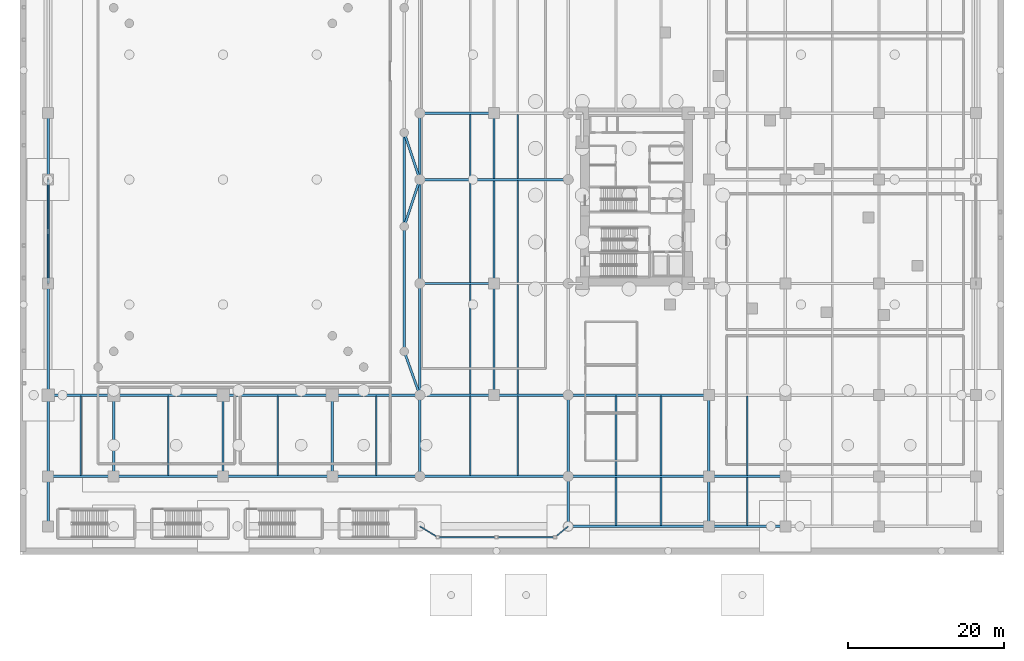
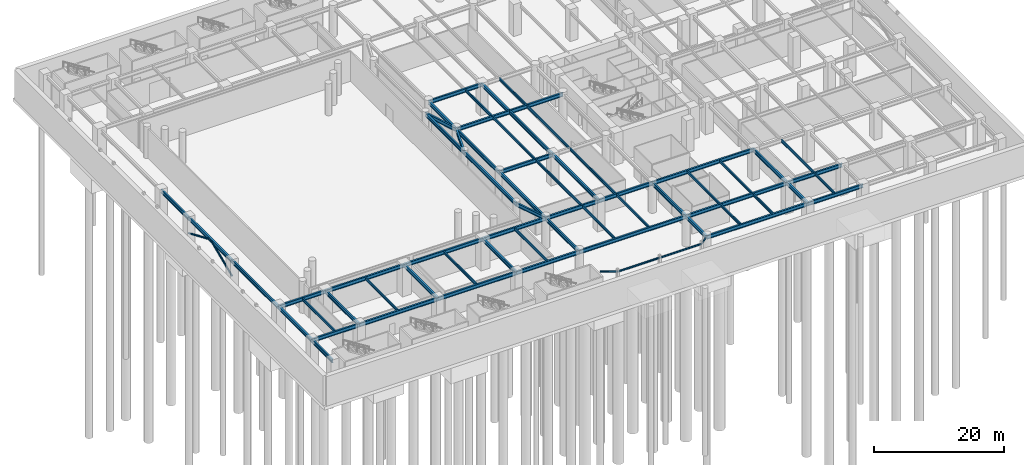
# One storey, part 12 of 37: 64 beams, 2 members.
"""IFC4 building model written with IfcOpenShell, lengths in metres."""

from ifc_helpers import new_model, si_unit, direction, frame, origin, origin_2d, place, context, subcontext, project, spatial, hollow_circle, i_section, extrude, material, material_profile, profile_set, type_object, element, save


model = new_model("IFC4")

# Units and contexts
model_context = context("Model", 3, precision=1e-05, world=origin(), true_north=direction((0.0, 1.0)))
body_context = subcontext(model_context, "Body", "Model", "MODEL_VIEW")
ifc_project = project(units=[si_unit("LENGTHUNIT", "METRE"), si_unit("AREAUNIT", "SQUARE_METRE"), si_unit("VOLUMEUNIT", "CUBIC_METRE"), si_unit("PLANEANGLEUNIT", "RADIAN"), si_unit("MASSUNIT", "GRAM", prefix="KILO")], contexts=[model_context])

# Site, building, storey
site_placement = place(None, origin())
site = spatial("IfcSite", under=ifc_project, at=site_placement, CompositionType="ELEMENT")
building_placement = place(site_placement, origin())
building = spatial("IfcBuilding", under=site, at=building_placement, Name="Narakoshi Arena Tower", CompositionType="ELEMENT")
storey_placement = place(building_placement, frame((0.0, 0.0, -6.0)))
storey = spatial("IfcBuildingStorey", under=building, at=storey_placement, Name="B01", CompositionType="ELEMENT", Elevation=-6.0)

# Beams
ifc_material = material(Name="Structural steel S355J2", Category="steel")
ifc_material_profile_1 = material_profile(ifc_material, i_section(OverallWidth=0.14990234375, OverallDepth=0.300048828125, WebThickness=0.007080078125, FlangeThickness=0.0107421875, FilletRadius=0.014892578125, at=origin_2d()), Name="IPE300")
ifc_profile_set_1 = profile_set([ifc_material_profile_1], Name="Structural steel S355J2")
beam_type_1 = type_object("IfcBeamType", Name="BM-CAN-300", PredefinedType="BEAM", material=ifc_profile_set_1)
beam_1_placement = place(storey_placement, frame((51.199951171875, 3.60009765625, 5.449951171875), z_axis=(0.854179295983, -0.519978586399, 0.0), x_axis=(0.519978586399, 0.854179295983, 0.0)))
element("IfcBeam", 1, at=beam_1_placement, inside=storey, type_object=beam_type_1, Name="B01 Concourse Canopy Beam 01", PredefinedType="BEAM", context=body_context, shape_type="SweptSolid", body=[
    extrude(i_section(OverallWidth=0.14990234375, OverallDepth=0.300048828125, WebThickness=0.007080078125, FlangeThickness=0.0107421875, FilletRadius=0.014892578125, at=origin_2d()), origin(), (0.0, 0.0, 1.0), 2.692626953125),
])
for number, where, z_axis, x_axis, name in (
    (2, (53.5, 2.199951171875, 5.449951171875), (1.0, 0.0, 0.0), (0.0, 1.0, 0.0), "B01 Concourse Canopy Beam 02"),
    (3, (61.0, 2.199951171875, 5.449951171875), (1.0, 0.0, 0.0), (0.0, 1.0, 0.0), "B01 Concourse Canopy Beam 03"),
):
    element("IfcBeam", number, at=place(storey_placement, frame(where, z_axis=z_axis, x_axis=x_axis)), inside=storey, type_object=beam_type_1, Name=name, PredefinedType="BEAM", context=body_context, shape_type="SweptSolid", body=[
        extrude(i_section(OverallWidth=0.14990234375, OverallDepth=0.300048828125, WebThickness=0.007080078125, FlangeThickness=0.0107421875, FilletRadius=0.014892578125, at=origin_2d()), origin(), (0.0, 0.0, 1.0), 7.5),
    ])
beam_2_placement = place(storey_placement, frame((68.5, 2.199951171875, 5.449951171875), z_axis=(0.771888634484, 0.635757765154, 0.0), x_axis=(-0.635757765154, 0.771888634484, 0.0)))
element("IfcBeam", 4, at=beam_2_placement, inside=storey, type_object=beam_type_1, Name="B01 Concourse Canopy Beam 04", PredefinedType="BEAM", context=body_context, shape_type="SweptSolid", body=[
    extrude(i_section(OverallWidth=0.14990234375, OverallDepth=0.300048828125, WebThickness=0.007080078125, FlangeThickness=0.0107421875, FilletRadius=0.014892578125, at=origin_2d()), origin(), (0.0, 0.0, 1.0), 2.202392578125),
])
ifc_material_profile_2 = material_profile(ifc_material, i_section(OverallWidth=0.300048828125, OverallDepth=0.699951171875, WebThickness=0.01708984375, FlangeThickness=0.031982421875, FilletRadius=0.027099609375, at=origin_2d()), Name="HE700B")
ifc_profile_set_2 = profile_set([ifc_material_profile_2], Name="Structural steel S355J2")
beam_type_2 = type_object("IfcBeamType", Name="BM-PRI-700", PredefinedType="BEAM", material=ifc_profile_set_2)
beam_3_placement = place(storey_placement, frame((49.199951171875, 26.0, 5.25), z_axis=(0.336331195321, -0.94174376932, 0.0), x_axis=(0.94174376932, 0.336331195321, 0.0)))
element("IfcBeam", 5, at=beam_3_placement, inside=storey, type_object=beam_type_2, Name="B01 Arena Foyer Tie Beam 01", PredefinedType="BEAM", context=body_context, shape_type="SweptSolid", body=[
    extrude(i_section(OverallWidth=0.300048828125, OverallDepth=0.699951171875, WebThickness=0.01708984375, FlangeThickness=0.031982421875, FilletRadius=0.027099609375, at=origin_2d()), origin(), (0.0, 0.0, 1.0), 5.946533203125),
])
for number, where, z_axis, x_axis, name in (
    (6, (49.199951171875, 42.0, 5.25), (0.316227766017, 0.948683298051, 0.0), (-0.948683298051, 0.316227766017, 0.0), "B01 Arena Foyer Tie Beam 02"),
    (7, (49.199951171875, 54.0, 5.25), (0.316227766017, -0.948683298051, 0.0), (0.948683298051, 0.316227766017, 0.0), "B01 Arena Foyer Tie Beam 03"),
):
    element("IfcBeam", number, at=place(storey_placement, frame(where, z_axis=z_axis, x_axis=x_axis)), inside=storey, type_object=beam_type_2, Name=name, PredefinedType="BEAM", context=body_context, shape_type="SweptSolid", body=[
        extrude(i_section(OverallWidth=0.300048828125, OverallDepth=0.699951171875, WebThickness=0.01708984375, FlangeThickness=0.031982421875, FilletRadius=0.027099609375, at=origin_2d()), origin(), (0.0, 0.0, 1.0), 6.324462890625),
    ])
beam_4_placement = place(storey_placement, frame((49.199951171875, 26.0, 5.25), z_axis=(0.0, 1.0, 0.0), x_axis=(-1.0, 0.0, 0.0)))
element("IfcBeam", 8, at=beam_4_placement, inside=storey, type_object=beam_type_2, Name="B01 Arena Foyer Ring Beam 26", PredefinedType="BEAM", context=body_context, shape_type="SweptSolid", body=[
    extrude(i_section(OverallWidth=0.300048828125, OverallDepth=0.699951171875, WebThickness=0.01708984375, FlangeThickness=0.031982421875, FilletRadius=0.027099609375, at=origin_2d()), origin(), (0.0, 0.0, 1.0), 16.0),
])
beam_5_placement = place(storey_placement, frame((49.199951171875, 42.0, 5.25), z_axis=(0.0, 1.0, 0.0), x_axis=(-1.0, 0.0, 0.0)))
element("IfcBeam", 9, at=beam_5_placement, inside=storey, type_object=beam_type_2, Name="B01 Arena Foyer Ring Beam 42", PredefinedType="BEAM", context=body_context, shape_type="SweptSolid", body=[
    extrude(i_section(OverallWidth=0.300048828125, OverallDepth=0.699951171875, WebThickness=0.01708984375, FlangeThickness=0.031982421875, FilletRadius=0.027099609375, at=origin_2d()), origin(), (0.0, 0.0, 1.0), 12.0),
])
beam_6_placement = place(storey_placement, frame((70.199951171875, 3.60009765625, 5.25), z_axis=(1.0, 0.0, 0.0), x_axis=(0.0, 1.0, 0.0)))
element("IfcBeam", 10, at=beam_6_placement, inside=storey, type_object=beam_type_2, Name="B01 Podium Primary X-Girder 001", PredefinedType="BEAM", context=body_context, shape_type="SweptSolid", body=[
    extrude(i_section(OverallWidth=0.300048828125, OverallDepth=0.699951171875, WebThickness=0.01708984375, FlangeThickness=0.031982421875, FilletRadius=0.027099609375, at=origin_2d()), origin(), (0.0, 0.0, 1.0), 18.0),
])
beam_7_placement = place(storey_placement, frame((88.199951171875, 3.60009765625, 5.25), z_axis=(1.0, 0.0, 0.0), x_axis=(0.0, 1.0, 0.0)))
element("IfcBeam", 11, at=beam_7_placement, inside=storey, type_object=beam_type_2, Name="B01 Podium Primary X-Girder 002", PredefinedType="BEAM", context=body_context, shape_type="SweptSolid", body=[
    extrude(i_section(OverallWidth=0.300048828125, OverallDepth=0.699951171875, WebThickness=0.01708984375, FlangeThickness=0.031982421875, FilletRadius=0.027099609375, at=origin_2d()), origin(), (0.0, 0.0, 1.0), 9.800048828125),
])
beam_8_placement = place(storey_placement, frame((3.60009765625, 10.0, 5.25), z_axis=(1.0, 0.0, 0.0), x_axis=(0.0, 1.0, 0.0)))
element("IfcBeam", 12, at=beam_8_placement, inside=storey, type_object=beam_type_2, Name="B01 Podium Primary X-Girder 005", PredefinedType="BEAM", context=body_context, shape_type="SweptSolid", body=[
    extrude(i_section(OverallWidth=0.300048828125, OverallDepth=0.699951171875, WebThickness=0.01708984375, FlangeThickness=0.031982421875, FilletRadius=0.027099609375, at=origin_2d()), origin(), (0.0, 0.0, 1.0), 8.39990234375),
])
for number, where, z_axis, x_axis, name in (
    (13, (12.0, 10.0, 5.25), (1.0, 0.0, 0.0), (0.0, 1.0, 0.0), "B01 Podium Primary X-Girder 006"),
    (14, (26.0, 10.0, 5.25), (1.0, 0.0, 0.0), (0.0, 1.0, 0.0), "B01 Podium Primary X-Girder 007"),
):
    element("IfcBeam", number, at=place(storey_placement, frame(where, z_axis=z_axis, x_axis=x_axis)), inside=storey, type_object=beam_type_2, Name=name, PredefinedType="BEAM", context=body_context, shape_type="SweptSolid", body=[
        extrude(i_section(OverallWidth=0.300048828125, OverallDepth=0.699951171875, WebThickness=0.01708984375, FlangeThickness=0.031982421875, FilletRadius=0.027099609375, at=origin_2d()), origin(), (0.0, 0.0, 1.0), 14.0),
    ])
beam_9_placement = place(storey_placement, frame((40.0, 10.0, 5.25), z_axis=(1.0, 0.0, 0.0), x_axis=(0.0, 1.0, 0.0)))
element("IfcBeam", 15, at=beam_9_placement, inside=storey, type_object=beam_type_2, Name="B01 Podium Primary X-Girder 008", PredefinedType="BEAM", context=body_context, shape_type="SweptSolid", body=[
    extrude(i_section(OverallWidth=0.300048828125, OverallDepth=0.699951171875, WebThickness=0.01708984375, FlangeThickness=0.031982421875, FilletRadius=0.027099609375, at=origin_2d()), origin(), (0.0, 0.0, 1.0), 11.199951171875),
])
beam_10_placement = place(storey_placement, frame((51.199951171875, 10.0, 5.25), z_axis=(1.0, 0.0, 0.0), x_axis=(0.0, 1.0, 0.0)))
element("IfcBeam", 16, at=beam_10_placement, inside=storey, type_object=beam_type_2, Name="B01 Podium Primary X-Girder 009", PredefinedType="BEAM", context=body_context, shape_type="SweptSolid", body=[
    extrude(i_section(OverallWidth=0.300048828125, OverallDepth=0.699951171875, WebThickness=0.01708984375, FlangeThickness=0.031982421875, FilletRadius=0.027099609375, at=origin_2d()), origin(), (0.0, 0.0, 1.0), 19.0),
])
beam_11_placement = place(storey_placement, frame((70.199951171875, 10.0, 5.25), z_axis=(1.0, 0.0, 0.0), x_axis=(0.0, 1.0, 0.0)))
element("IfcBeam", 17, at=beam_11_placement, inside=storey, type_object=beam_type_2, Name="B01 Podium Primary X-Girder 010", PredefinedType="BEAM", context=body_context, shape_type="SweptSolid", body=[
    extrude(i_section(OverallWidth=0.300048828125, OverallDepth=0.699951171875, WebThickness=0.01708984375, FlangeThickness=0.031982421875, FilletRadius=0.027099609375, at=origin_2d()), origin(), (0.0, 0.0, 1.0), 18.0),
])
beam_12_placement = place(storey_placement, frame((88.199951171875, 10.0, 5.25), z_axis=(1.0, 0.0, 0.0), x_axis=(0.0, 1.0, 0.0)))
element("IfcBeam", 18, at=beam_12_placement, inside=storey, type_object=beam_type_2, Name="B01 Podium Primary X-Girder 011", PredefinedType="BEAM", context=body_context, shape_type="SweptSolid", body=[
    extrude(i_section(OverallWidth=0.300048828125, OverallDepth=0.699951171875, WebThickness=0.01708984375, FlangeThickness=0.031982421875, FilletRadius=0.027099609375, at=origin_2d()), origin(), (0.0, 0.0, 1.0), 9.800048828125),
])
beam_13_placement = place(storey_placement, frame((3.60009765625, 20.39990234375, 5.25), z_axis=(1.0, 0.0, 0.0), x_axis=(0.0, 1.0, 0.0)))
element("IfcBeam", 19, at=beam_13_placement, inside=storey, type_object=beam_type_2, Name="B01 Podium Primary X-Girder 014", PredefinedType="BEAM", context=body_context, shape_type="SweptSolid", body=[
    extrude(i_section(OverallWidth=0.300048828125, OverallDepth=0.699951171875, WebThickness=0.01708984375, FlangeThickness=0.031982421875, FilletRadius=0.027099609375, at=origin_2d()), origin(), (0.0, 0.0, 1.0), 8.39990234375),
])
for number, where, z_axis, x_axis, name in (
    (20, (12.0, 20.39990234375, 5.25), (1.0, 0.0, 0.0), (0.0, 1.0, 0.0), "B01 Podium Primary X-Girder 015"),
    (21, (26.0, 20.39990234375, 5.25), (1.0, 0.0, 0.0), (0.0, 1.0, 0.0), "B01 Podium Primary X-Girder 016"),
):
    element("IfcBeam", number, at=place(storey_placement, frame(where, z_axis=z_axis, x_axis=x_axis)), inside=storey, type_object=beam_type_2, Name=name, PredefinedType="BEAM", context=body_context, shape_type="SweptSolid", body=[
        extrude(i_section(OverallWidth=0.300048828125, OverallDepth=0.699951171875, WebThickness=0.01708984375, FlangeThickness=0.031982421875, FilletRadius=0.027099609375, at=origin_2d()), origin(), (0.0, 0.0, 1.0), 14.0),
    ])
beam_14_placement = place(storey_placement, frame((40.0, 20.39990234375, 5.25), z_axis=(1.0, 0.0, 0.0), x_axis=(0.0, 1.0, 0.0)))
element("IfcBeam", 22, at=beam_14_placement, inside=storey, type_object=beam_type_2, Name="B01 Podium Primary X-Girder 017", PredefinedType="BEAM", context=body_context, shape_type="SweptSolid", body=[
    extrude(i_section(OverallWidth=0.300048828125, OverallDepth=0.699951171875, WebThickness=0.01708984375, FlangeThickness=0.031982421875, FilletRadius=0.027099609375, at=origin_2d()), origin(), (0.0, 0.0, 1.0), 11.199951171875),
])
for number, where, z_axis, x_axis, name in (
    (23, (51.199951171875, 20.39990234375, 5.25), (1.0, 0.0, 0.0), (0.0, 1.0, 0.0), "B01 Podium Primary X-Girder 018"),
    (24, (60.699951171875, 20.39990234375, 5.25), (1.0, 0.0, 0.0), (0.0, 1.0, 0.0), "B01 Podium Primary X-Girder 019"),
):
    element("IfcBeam", number, at=place(storey_placement, frame(where, z_axis=z_axis, x_axis=x_axis)), inside=storey, type_object=beam_type_2, Name=name, PredefinedType="BEAM", context=body_context, shape_type="SweptSolid", body=[
        extrude(i_section(OverallWidth=0.300048828125, OverallDepth=0.699951171875, WebThickness=0.01708984375, FlangeThickness=0.031982421875, FilletRadius=0.027099609375, at=origin_2d()), origin(), (0.0, 0.0, 1.0), 9.5),
    ])
beam_15_placement = place(storey_placement, frame((70.199951171875, 20.39990234375, 5.25), z_axis=(1.0, 0.0, 0.0), x_axis=(0.0, 1.0, 0.0)))
element("IfcBeam", 25, at=beam_15_placement, inside=storey, type_object=beam_type_2, Name="B01 Podium Primary X-Girder 020", PredefinedType="BEAM", context=body_context, shape_type="SweptSolid", body=[
    extrude(i_section(OverallWidth=0.300048828125, OverallDepth=0.699951171875, WebThickness=0.01708984375, FlangeThickness=0.031982421875, FilletRadius=0.027099609375, at=origin_2d()), origin(), (0.0, 0.0, 1.0), 18.0),
])
beam_16_placement = place(storey_placement, frame((51.199951171875, 34.699951171875, 5.25), z_axis=(1.0, 0.0, 0.0), x_axis=(0.0, 1.0, 0.0)))
element("IfcBeam", 26, at=beam_16_placement, inside=storey, type_object=beam_type_2, Name="B01 Podium Primary X-Girder 024", PredefinedType="BEAM", context=body_context, shape_type="SweptSolid", body=[
    extrude(i_section(OverallWidth=0.300048828125, OverallDepth=0.699951171875, WebThickness=0.01708984375, FlangeThickness=0.031982421875, FilletRadius=0.027099609375, at=origin_2d()), origin(), (0.0, 0.0, 1.0), 9.5),
])
beam_17_placement = place(storey_placement, frame((51.199951171875, 48.0, 5.25), z_axis=(1.0, 0.0, 0.0), x_axis=(0.0, 1.0, 0.0)))
element("IfcBeam", 27, at=beam_17_placement, inside=storey, type_object=beam_type_2, Name="B01 Podium Primary X-Girder 031", PredefinedType="BEAM", context=body_context, shape_type="SweptSolid", body=[
    extrude(i_section(OverallWidth=0.300048828125, OverallDepth=0.699951171875, WebThickness=0.01708984375, FlangeThickness=0.031982421875, FilletRadius=0.027099609375, at=origin_2d()), origin(), (0.0, 0.0, 1.0), 19.0),
])
beam_18_placement = place(storey_placement, frame((51.199951171875, 56.5, 5.25), z_axis=(1.0, 0.0, 0.0), x_axis=(0.0, 1.0, 0.0)))
element("IfcBeam", 28, at=beam_18_placement, inside=storey, type_object=beam_type_2, Name="B01 Podium Primary X-Girder 035", PredefinedType="BEAM", context=body_context, shape_type="SweptSolid", body=[
    extrude(i_section(OverallWidth=0.300048828125, OverallDepth=0.699951171875, WebThickness=0.01708984375, FlangeThickness=0.031982421875, FilletRadius=0.027099609375, at=origin_2d()), origin(), (0.0, 0.0, 1.0), 9.5),
])
beam_19_placement = place(storey_placement, frame((3.60009765625, 3.60009765625, 5.25), z_axis=(0.0, 1.0, 0.0), x_axis=(-1.0, 0.0, 0.0)))
element("IfcBeam", 29, at=beam_19_placement, inside=storey, type_object=beam_type_2, Name="B01 Podium Primary Y-Girder 066", PredefinedType="BEAM", context=body_context, shape_type="SweptSolid", body=[
    extrude(i_section(OverallWidth=0.300048828125, OverallDepth=0.699951171875, WebThickness=0.01708984375, FlangeThickness=0.031982421875, FilletRadius=0.027099609375, at=origin_2d()), origin(), (0.0, 0.0, 1.0), 6.39990234375),
])
beam_20_placement = place(storey_placement, frame((3.60009765625, 10.0, 5.25), z_axis=(0.0, 1.0, 0.0), x_axis=(-1.0, 0.0, 0.0)))
element("IfcBeam", 30, at=beam_20_placement, inside=storey, type_object=beam_type_2, Name="B01 Podium Primary Y-Girder 067", PredefinedType="BEAM", context=body_context, shape_type="SweptSolid", body=[
    extrude(i_section(OverallWidth=0.300048828125, OverallDepth=0.699951171875, WebThickness=0.01708984375, FlangeThickness=0.031982421875, FilletRadius=0.027099609375, at=origin_2d()), origin(), (0.0, 0.0, 1.0), 10.39990234375),
])
beam_21_placement = place(storey_placement, frame((3.60009765625, 20.39990234375, 5.25), z_axis=(0.0, 1.0, 0.0), x_axis=(-1.0, 0.0, 0.0)))
element("IfcBeam", 31, at=beam_21_placement, inside=storey, type_object=beam_type_2, Name="B01 Podium Primary Y-Girder 068", PredefinedType="BEAM", context=body_context, shape_type="SweptSolid", body=[
    extrude(i_section(OverallWidth=0.300048828125, OverallDepth=0.699951171875, WebThickness=0.01708984375, FlangeThickness=0.031982421875, FilletRadius=0.027099609375, at=origin_2d()), origin(), (0.0, 0.0, 1.0), 14.300048828125),
])
beam_22_placement = place(storey_placement, frame((3.60009765625, 34.699951171875, 5.25), z_axis=(0.0, 1.0, 0.0), x_axis=(-1.0, 0.0, 0.0)))
element("IfcBeam", 32, at=beam_22_placement, inside=storey, type_object=beam_type_2, Name="B01 Podium Primary Y-Girder 069", PredefinedType="BEAM", context=body_context, shape_type="SweptSolid", body=[
    extrude(i_section(OverallWidth=0.300048828125, OverallDepth=0.699951171875, WebThickness=0.01708984375, FlangeThickness=0.031982421875, FilletRadius=0.027099609375, at=origin_2d()), origin(), (0.0, 0.0, 1.0), 13.300048828125),
])
beam_23_placement = place(storey_placement, frame((3.60009765625, 48.0, 5.25), z_axis=(0.0, 1.0, 0.0), x_axis=(-1.0, 0.0, 0.0)))
element("IfcBeam", 33, at=beam_23_placement, inside=storey, type_object=beam_type_2, Name="B01 Podium Primary Y-Girder 070", PredefinedType="BEAM", context=body_context, shape_type="SweptSolid", body=[
    extrude(i_section(OverallWidth=0.300048828125, OverallDepth=0.699951171875, WebThickness=0.01708984375, FlangeThickness=0.031982421875, FilletRadius=0.027099609375, at=origin_2d()), origin(), (0.0, 0.0, 1.0), 8.5),
])
for number, where, z_axis, x_axis, name in (
    (34, (12.0, 10.0, 5.25), (0.0, 1.0, 0.0), (-1.0, 0.0, 0.0), "B01 Podium Primary Y-Girder 074"),
    (35, (26.0, 10.0, 5.25), (0.0, 1.0, 0.0), (-1.0, 0.0, 0.0), "B01 Podium Primary Y-Girder 076"),
    (36, (40.0, 10.0, 5.25), (0.0, 1.0, 0.0), (-1.0, 0.0, 0.0), "B01 Podium Primary Y-Girder 078"),
    (37, (51.199951171875, 10.0, 5.25), (0.0, 1.0, 0.0), (-1.0, 0.0, 0.0), "B01 Podium Primary Y-Girder 080"),
):
    element("IfcBeam", number, at=place(storey_placement, frame(where, z_axis=z_axis, x_axis=x_axis)), inside=storey, type_object=beam_type_2, Name=name, PredefinedType="BEAM", context=body_context, shape_type="SweptSolid", body=[
        extrude(i_section(OverallWidth=0.300048828125, OverallDepth=0.699951171875, WebThickness=0.01708984375, FlangeThickness=0.031982421875, FilletRadius=0.027099609375, at=origin_2d()), origin(), (0.0, 0.0, 1.0), 10.39990234375),
    ])
beam_24_placement = place(storey_placement, frame((51.199951171875, 20.39990234375, 5.25), z_axis=(0.0, 1.0, 0.0), x_axis=(-1.0, 0.0, 0.0)))
element("IfcBeam", 38, at=beam_24_placement, inside=storey, type_object=beam_type_2, Name="B01 Podium Primary Y-Girder 081", PredefinedType="BEAM", context=body_context, shape_type="SweptSolid", body=[
    extrude(i_section(OverallWidth=0.300048828125, OverallDepth=0.699951171875, WebThickness=0.01708984375, FlangeThickness=0.031982421875, FilletRadius=0.027099609375, at=origin_2d()), origin(), (0.0, 0.0, 1.0), 14.300048828125),
])
beam_25_placement = place(storey_placement, frame((51.199951171875, 34.699951171875, 5.25), z_axis=(0.0, 1.0, 0.0), x_axis=(-1.0, 0.0, 0.0)))
element("IfcBeam", 39, at=beam_25_placement, inside=storey, type_object=beam_type_2, Name="B01 Podium Primary Y-Girder 082", PredefinedType="BEAM", context=body_context, shape_type="SweptSolid", body=[
    extrude(i_section(OverallWidth=0.300048828125, OverallDepth=0.699951171875, WebThickness=0.01708984375, FlangeThickness=0.031982421875, FilletRadius=0.027099609375, at=origin_2d()), origin(), (0.0, 0.0, 1.0), 13.300048828125),
])
beam_26_placement = place(storey_placement, frame((51.199951171875, 48.0, 5.25), z_axis=(0.0, 1.0, 0.0), x_axis=(-1.0, 0.0, 0.0)))
element("IfcBeam", 40, at=beam_26_placement, inside=storey, type_object=beam_type_2, Name="B01 Podium Primary Y-Girder 083", PredefinedType="BEAM", context=body_context, shape_type="SweptSolid", body=[
    extrude(i_section(OverallWidth=0.300048828125, OverallDepth=0.699951171875, WebThickness=0.01708984375, FlangeThickness=0.031982421875, FilletRadius=0.027099609375, at=origin_2d()), origin(), (0.0, 0.0, 1.0), 8.5),
])
beam_27_placement = place(storey_placement, frame((60.699951171875, 20.39990234375, 5.25), z_axis=(0.0, 1.0, 0.0), x_axis=(-1.0, 0.0, 0.0)))
element("IfcBeam", 41, at=beam_27_placement, inside=storey, type_object=beam_type_2, Name="B01 Podium Primary Y-Girder 086", PredefinedType="BEAM", context=body_context, shape_type="SweptSolid", body=[
    extrude(i_section(OverallWidth=0.300048828125, OverallDepth=0.699951171875, WebThickness=0.01708984375, FlangeThickness=0.031982421875, FilletRadius=0.027099609375, at=origin_2d()), origin(), (0.0, 0.0, 1.0), 14.300048828125),
])
beam_28_placement = place(storey_placement, frame((60.699951171875, 34.699951171875, 5.25), z_axis=(0.0, 1.0, 0.0), x_axis=(-1.0, 0.0, 0.0)))
element("IfcBeam", 42, at=beam_28_placement, inside=storey, type_object=beam_type_2, Name="B01 Podium Primary Y-Girder 087", PredefinedType="BEAM", context=body_context, shape_type="SweptSolid", body=[
    extrude(i_section(OverallWidth=0.300048828125, OverallDepth=0.699951171875, WebThickness=0.01708984375, FlangeThickness=0.031982421875, FilletRadius=0.027099609375, at=origin_2d()), origin(), (0.0, 0.0, 1.0), 21.800048828125),
])
beam_29_placement = place(storey_placement, frame((70.199951171875, 3.60009765625, 5.25), z_axis=(0.0, 1.0, 0.0), x_axis=(-1.0, 0.0, 0.0)))
element("IfcBeam", 43, at=beam_29_placement, inside=storey, type_object=beam_type_2, Name="B01 Podium Primary Y-Girder 089", PredefinedType="BEAM", context=body_context, shape_type="SweptSolid", body=[
    extrude(i_section(OverallWidth=0.300048828125, OverallDepth=0.699951171875, WebThickness=0.01708984375, FlangeThickness=0.031982421875, FilletRadius=0.027099609375, at=origin_2d()), origin(), (0.0, 0.0, 1.0), 6.39990234375),
])
beam_30_placement = place(storey_placement, frame((70.199951171875, 10.0, 5.25), z_axis=(0.0, 1.0, 0.0), x_axis=(-1.0, 0.0, 0.0)))
element("IfcBeam", 44, at=beam_30_placement, inside=storey, type_object=beam_type_2, Name="B01 Podium Primary Y-Girder 090", PredefinedType="BEAM", context=body_context, shape_type="SweptSolid", body=[
    extrude(i_section(OverallWidth=0.300048828125, OverallDepth=0.699951171875, WebThickness=0.01708984375, FlangeThickness=0.031982421875, FilletRadius=0.027099609375, at=origin_2d()), origin(), (0.0, 0.0, 1.0), 10.39990234375),
])
beam_31_placement = place(storey_placement, frame((88.199951171875, 3.60009765625, 5.25), z_axis=(0.0, 1.0, 0.0), x_axis=(-1.0, 0.0, 0.0)))
element("IfcBeam", 45, at=beam_31_placement, inside=storey, type_object=beam_type_2, Name="B01 Podium Primary Y-Girder 098", PredefinedType="BEAM", context=body_context, shape_type="SweptSolid", body=[
    extrude(i_section(OverallWidth=0.300048828125, OverallDepth=0.699951171875, WebThickness=0.01708984375, FlangeThickness=0.031982421875, FilletRadius=0.027099609375, at=origin_2d()), origin(), (0.0, 0.0, 1.0), 6.39990234375),
])
beam_32_placement = place(storey_placement, frame((88.199951171875, 10.0, 5.25), z_axis=(0.0, 1.0, 0.0), x_axis=(-1.0, 0.0, 0.0)))
element("IfcBeam", 46, at=beam_32_placement, inside=storey, type_object=beam_type_2, Name="B01 Podium Primary Y-Girder 099", PredefinedType="BEAM", context=body_context, shape_type="SweptSolid", body=[
    extrude(i_section(OverallWidth=0.300048828125, OverallDepth=0.699951171875, WebThickness=0.01708984375, FlangeThickness=0.031982421875, FilletRadius=0.027099609375, at=origin_2d()), origin(), (0.0, 0.0, 1.0), 10.39990234375),
])
ifc_material_profile_3 = material_profile(ifc_material, i_section(OverallWidth=0.199951171875, OverallDepth=0.5, WebThickness=0.01025390625, FlangeThickness=0.01611328125, FilletRadius=0.02099609375, at=origin_2d()), Name="IPE500")
ifc_profile_set_3 = profile_set([ifc_material_profile_3], Name="Structural steel S355J2")
beam_type_3 = type_object("IfcBeamType", Name="BM-SEC-500", PredefinedType="JOIST", material=ifc_profile_set_3)
for number, where, z_axis, x_axis, name in (
    (47, (7.800048828125, 10.135009765625, 5.35009765625), (0.0, 1.0, 0.0), (-1.0, 0.0, 0.0), "B01 Podium Composite Floor Joist 001"),
    (48, (19.0, 10.135009765625, 5.35009765625), (0.0, 1.0, 0.0), (-1.0, 0.0, 0.0), "B01 Podium Composite Floor Joist 003"),
    (49, (33.0, 10.135009765625, 5.35009765625), (0.0, 1.0, 0.0), (-1.0, 0.0, 0.0), "B01 Podium Composite Floor Joist 005"),
    (50, (45.60009765625, 10.135009765625, 5.35009765625), (0.0, 1.0, 0.0), (-1.0, 0.0, 0.0), "B01 Podium Composite Floor Joist 007"),
    (51, (57.659912109375, 10.135009765625, 5.35009765625), (0.0, 1.0, 0.0), (-1.0, 0.0, 0.0), "B01 Podium Composite Floor Joist 009"),
):
    element("IfcBeam", number, at=place(storey_placement, frame(where, z_axis=z_axis, x_axis=x_axis)), inside=storey, type_object=beam_type_3, Name=name, PredefinedType="JOIST", context=body_context, shape_type="SweptSolid", body=[
        extrude(i_section(OverallWidth=0.199951171875, OverallDepth=0.5, WebThickness=0.01025390625, FlangeThickness=0.01611328125, FilletRadius=0.02099609375, at=origin_2d()), origin(), (0.0, 0.0, 1.0), 10.1298828125),
    ])
beam_33_placement = place(storey_placement, frame((57.659912109375, 20.534912109375, 5.35009765625), z_axis=(0.0, 1.0, 0.0), x_axis=(-1.0, 0.0, 0.0)))
element("IfcBeam", 52, at=beam_33_placement, inside=storey, type_object=beam_type_3, Name="B01 Podium Composite Floor Joist 010", PredefinedType="JOIST", context=body_context, shape_type="SweptSolid", body=[
    extrude(i_section(OverallWidth=0.199951171875, OverallDepth=0.5, WebThickness=0.01025390625, FlangeThickness=0.01611328125, FilletRadius=0.02099609375, at=origin_2d()), origin(), (0.0, 0.0, 1.0), 14.030029296875),
])
beam_34_placement = place(storey_placement, frame((57.659912109375, 34.8349609375, 5.35009765625), z_axis=(0.0, 1.0, 0.0), x_axis=(-1.0, 0.0, 0.0)))
element("IfcBeam", 53, at=beam_34_placement, inside=storey, type_object=beam_type_3, Name="B01 Podium Composite Floor Joist 011", PredefinedType="JOIST", context=body_context, shape_type="SweptSolid", body=[
    extrude(i_section(OverallWidth=0.199951171875, OverallDepth=0.5, WebThickness=0.01025390625, FlangeThickness=0.01611328125, FilletRadius=0.02099609375, at=origin_2d()), origin(), (0.0, 0.0, 1.0), 13.030029296875),
])
beam_35_placement = place(storey_placement, frame((57.659912109375, 48.135009765625, 5.35009765625), z_axis=(0.0, 1.0, 0.0), x_axis=(-1.0, 0.0, 0.0)))
element("IfcBeam", 54, at=beam_35_placement, inside=storey, type_object=beam_type_3, Name="B01 Podium Composite Floor Joist 012", PredefinedType="JOIST", context=body_context, shape_type="SweptSolid", body=[
    extrude(i_section(OverallWidth=0.199951171875, OverallDepth=0.5, WebThickness=0.01025390625, FlangeThickness=0.01611328125, FilletRadius=0.02099609375, at=origin_2d()), origin(), (0.0, 0.0, 1.0), 8.22998046875),
])
beam_36_placement = place(storey_placement, frame((63.739990234375, 10.135009765625, 5.35009765625), z_axis=(0.0, 1.0, 0.0), x_axis=(-1.0, 0.0, 0.0)))
element("IfcBeam", 55, at=beam_36_placement, inside=storey, type_object=beam_type_3, Name="B01 Podium Composite Floor Joist 015", PredefinedType="JOIST", context=body_context, shape_type="SweptSolid", body=[
    extrude(i_section(OverallWidth=0.199951171875, OverallDepth=0.5, WebThickness=0.01025390625, FlangeThickness=0.01611328125, FilletRadius=0.02099609375, at=origin_2d()), origin(), (0.0, 0.0, 1.0), 10.1298828125),
])
beam_37_placement = place(storey_placement, frame((63.739990234375, 20.534912109375, 5.35009765625), z_axis=(0.0, 1.0, 0.0), x_axis=(-1.0, 0.0, 0.0)))
element("IfcBeam", 56, at=beam_37_placement, inside=storey, type_object=beam_type_3, Name="B01 Podium Composite Floor Joist 016", PredefinedType="JOIST", context=body_context, shape_type="SweptSolid", body=[
    extrude(i_section(OverallWidth=0.199951171875, OverallDepth=0.5, WebThickness=0.01025390625, FlangeThickness=0.01611328125, FilletRadius=0.02099609375, at=origin_2d()), origin(), (0.0, 0.0, 1.0), 14.030029296875),
])
beam_38_placement = place(storey_placement, frame((63.739990234375, 34.8349609375, 5.35009765625), z_axis=(0.0, 1.0, 0.0), x_axis=(-1.0, 0.0, 0.0)))
element("IfcBeam", 57, at=beam_38_placement, inside=storey, type_object=beam_type_3, Name="B01 Podium Composite Floor Joist 017", PredefinedType="JOIST", context=body_context, shape_type="SweptSolid", body=[
    extrude(i_section(OverallWidth=0.199951171875, OverallDepth=0.5, WebThickness=0.01025390625, FlangeThickness=0.01611328125, FilletRadius=0.02099609375, at=origin_2d()), origin(), (0.0, 0.0, 1.0), 13.030029296875),
])
beam_39_placement = place(storey_placement, frame((63.739990234375, 48.135009765625, 5.35009765625), z_axis=(0.0, 1.0, 0.0), x_axis=(-1.0, 0.0, 0.0)))
element("IfcBeam", 58, at=beam_39_placement, inside=storey, type_object=beam_type_3, Name="B01 Podium Composite Floor Joist 018", PredefinedType="JOIST", context=body_context, shape_type="SweptSolid", body=[
    extrude(i_section(OverallWidth=0.199951171875, OverallDepth=0.5, WebThickness=0.01025390625, FlangeThickness=0.01611328125, FilletRadius=0.02099609375, at=origin_2d()), origin(), (0.0, 0.0, 1.0), 8.22998046875),
])
beam_40_placement = place(storey_placement, frame((76.320068359375, 3.735107421875, 5.35009765625), z_axis=(0.0, 1.0, 0.0), x_axis=(-1.0, 0.0, 0.0)))
element("IfcBeam", 59, at=beam_40_placement, inside=storey, type_object=beam_type_3, Name="B01 Podium Composite Floor Joist 021", PredefinedType="JOIST", context=body_context, shape_type="SweptSolid", body=[
    extrude(i_section(OverallWidth=0.199951171875, OverallDepth=0.5, WebThickness=0.01025390625, FlangeThickness=0.01611328125, FilletRadius=0.02099609375, at=origin_2d()), origin(), (0.0, 0.0, 1.0), 6.1298828125),
])
beam_41_placement = place(storey_placement, frame((76.320068359375, 10.135009765625, 5.35009765625), z_axis=(0.0, 1.0, 0.0), x_axis=(-1.0, 0.0, 0.0)))
element("IfcBeam", 60, at=beam_41_placement, inside=storey, type_object=beam_type_3, Name="B01 Podium Composite Floor Joist 022", PredefinedType="JOIST", context=body_context, shape_type="SweptSolid", body=[
    extrude(i_section(OverallWidth=0.199951171875, OverallDepth=0.5, WebThickness=0.01025390625, FlangeThickness=0.01611328125, FilletRadius=0.02099609375, at=origin_2d()), origin(), (0.0, 0.0, 1.0), 10.1298828125),
])
beam_42_placement = place(storey_placement, frame((82.080078125, 3.735107421875, 5.35009765625), z_axis=(0.0, 1.0, 0.0), x_axis=(-1.0, 0.0, 0.0)))
element("IfcBeam", 61, at=beam_42_placement, inside=storey, type_object=beam_type_3, Name="B01 Podium Composite Floor Joist 026", PredefinedType="JOIST", context=body_context, shape_type="SweptSolid", body=[
    extrude(i_section(OverallWidth=0.199951171875, OverallDepth=0.5, WebThickness=0.01025390625, FlangeThickness=0.01611328125, FilletRadius=0.02099609375, at=origin_2d()), origin(), (0.0, 0.0, 1.0), 6.1298828125),
])
beam_43_placement = place(storey_placement, frame((82.080078125, 10.135009765625, 5.35009765625), z_axis=(0.0, 1.0, 0.0), x_axis=(-1.0, 0.0, 0.0)))
element("IfcBeam", 62, at=beam_43_placement, inside=storey, type_object=beam_type_3, Name="B01 Podium Composite Floor Joist 027", PredefinedType="JOIST", context=body_context, shape_type="SweptSolid", body=[
    extrude(i_section(OverallWidth=0.199951171875, OverallDepth=0.5, WebThickness=0.01025390625, FlangeThickness=0.01611328125, FilletRadius=0.02099609375, at=origin_2d()), origin(), (0.0, 0.0, 1.0), 10.1298828125),
])
beam_44_placement = place(storey_placement, frame((93.10009765625, 3.735107421875, 5.35009765625), z_axis=(0.0, 1.0, 0.0), x_axis=(-1.0, 0.0, 0.0)))
element("IfcBeam", 63, at=beam_44_placement, inside=storey, type_object=beam_type_3, Name="B01 Podium Composite Floor Joist 031", PredefinedType="JOIST", context=body_context, shape_type="SweptSolid", body=[
    extrude(i_section(OverallWidth=0.199951171875, OverallDepth=0.5, WebThickness=0.01025390625, FlangeThickness=0.01611328125, FilletRadius=0.02099609375, at=origin_2d()), origin(), (0.0, 0.0, 1.0), 6.1298828125),
])
beam_45_placement = place(storey_placement, frame((93.10009765625, 10.135009765625, 5.35009765625), z_axis=(0.0, 1.0, 0.0), x_axis=(-1.0, 0.0, 0.0)))
element("IfcBeam", 64, at=beam_45_placement, inside=storey, type_object=beam_type_3, Name="B01 Podium Composite Floor Joist 032", PredefinedType="JOIST", context=body_context, shape_type="SweptSolid", body=[
    extrude(i_section(OverallWidth=0.199951171875, OverallDepth=0.5, WebThickness=0.01025390625, FlangeThickness=0.01611328125, FilletRadius=0.02099609375, at=origin_2d()), origin(), (0.0, 0.0, 1.0), 10.1298828125),
])

# Members
ifc_material_profile_4 = material_profile(ifc_material, hollow_circle(Radius=0.161865234375, WallThickness=0.012451171875, at=origin_2d()), Name="CHS323x12")
ifc_profile_set_4 = profile_set([ifc_material_profile_4], Name="Structural steel S355J2")
member_type = type_object("IfcMemberType", Name="MEM-BR-323", PredefinedType="BRACE", material=ifc_profile_set_4)
member_1_placement = place(storey_placement, frame((3.60009765625, 34.699951171875, 2.39990234375), z_axis=(0.0, 0.919143284648, 0.393923371085), x_axis=(-1.0, 0.0, 0.0)))
element("IfcMember", 65, at=member_1_placement, inside=storey, type_object=member_type, Name="B01 Podium Lateral Brace 1A", PredefinedType="BRACE", context=body_context, shape_type="SweptSolid", body=[
    extrude(hollow_circle(Radius=0.161865234375, WallThickness=0.012451171875, at=origin_2d()), origin(), (0.0, 0.0, 1.0), 7.235107421875),
])
member_2_placement = place(storey_placement, frame((3.60009765625, 48.0, 2.39990234375), z_axis=(0.0, -0.919138048212, 0.393935589061), x_axis=(1.0, 0.0, 0.0)))
element("IfcMember", 66, at=member_2_placement, inside=storey, type_object=member_type, Name="B01 Podium Lateral Brace 1B", PredefinedType="BRACE", context=body_context, shape_type="SweptSolid", body=[
    extrude(hollow_circle(Radius=0.161865234375, WallThickness=0.012451171875, at=origin_2d()), origin(), (0.0, 0.0, 1.0), 7.23486328125),
])

save(model, "model.ifc")
